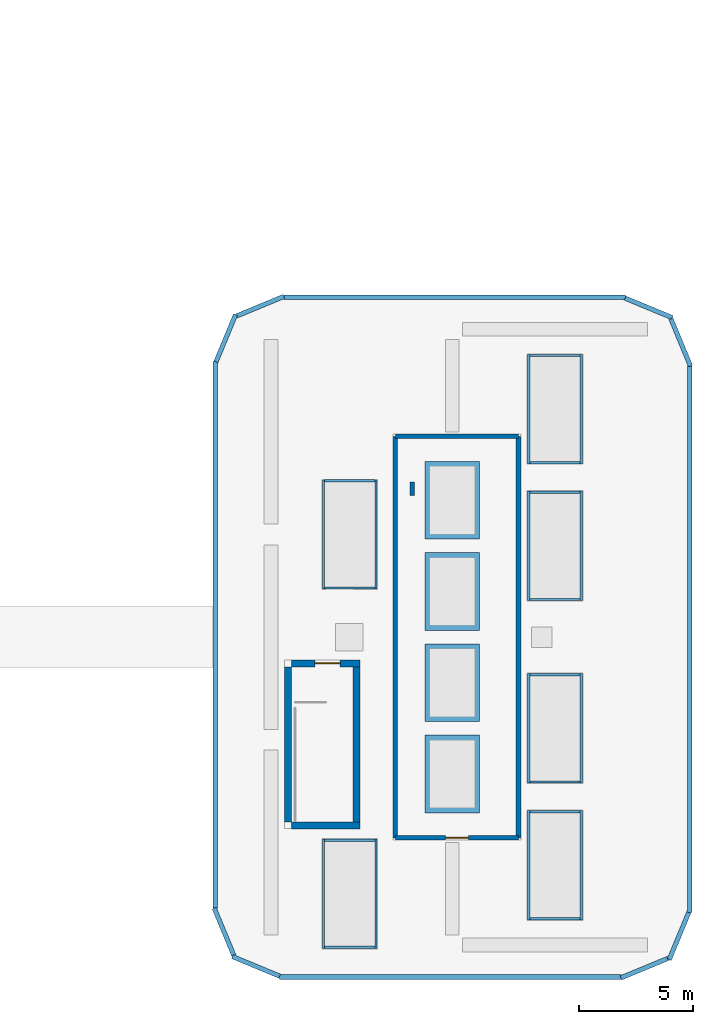
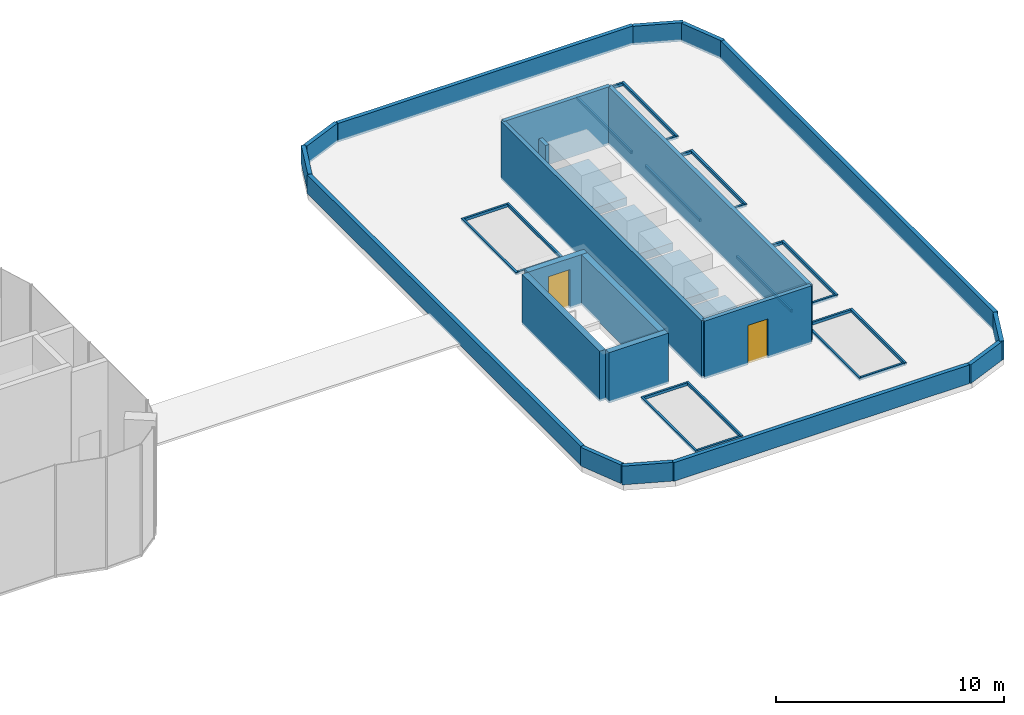
# One storey, part 13 of 19: 49 walls, 2 doors, 2 openings.
"""IFC4 building model written with IfcOpenShell, lengths in metres."""

from ifc_helpers import new_model, si_unit, direction, frame, frame_2d, origin, place, context, subcontext, project, spatial, rectangle, extrude, material, layer, layer_set, type_object, element, fill, save


model = new_model("IFC4")

# Units and contexts
model_context = context("Model", 3, precision=1e-05, world=origin(), true_north=direction((0.0, 1.0)))
body_context = subcontext(model_context, "Body", "Model", "MODEL_VIEW")
ifc_project = project(units=[si_unit("LENGTHUNIT", "METRE"), si_unit("AREAUNIT", "SQUARE_METRE"), si_unit("VOLUMEUNIT", "CUBIC_METRE"), si_unit("PLANEANGLEUNIT", "RADIAN"), si_unit("MASSUNIT", "GRAM", prefix="KILO")], contexts=[model_context])

# Site, building, storey
site_placement = place(None, origin())
site = spatial("IfcSite", under=ifc_project, at=site_placement, CompositionType="ELEMENT")
building_placement = place(site_placement, origin())
building = spatial("IfcBuilding", under=site, at=building_placement, Name="Plateau Cross Towers", CompositionType="ELEMENT")
storey_placement = place(building_placement, frame((0.0, 0.0, 128.60009765625)))
storey = spatial("IfcBuildingStorey", under=building, at=storey_placement, Name="L33", CompositionType="ELEMENT", Elevation=128.60009765625)

# Walls
ifc_material_1 = material(Name="Concrete C60/75", Category="concrete")
ifc_layer_1 = layer(ifc_material_1, 0.300048828125)
ifc_layer_set_1 = layer_set([ifc_layer_1], Name="Concrete C60/75")
wall_type_1 = type_object("IfcWallType", Name="Core shaft wall 300", PredefinedType="SHEAR", material=ifc_layer_set_1)
wall_1_placement = place(storey_placement, frame((75.449951171875, 0.75, 0.0), z_axis=(0.0, 0.0, 1.0), x_axis=(1.0, 0.0, 0.0)))
element("IfcWall", 1, at=wall_1_placement, inside=storey, type_object=wall_type_1, Name="SB-1 head house wall", PredefinedType="SHEAR", context=body_context, shape_type="SweptSolid", body=[
    extrude(rectangle(XDim=3.0, YDim=0.300048828125, at=frame_2d((1.5, 0.0))), origin(), (0.0, 0.0, 1.0), 2.699951171875),
])
for number, where, z_axis, x_axis, name in (
    (2, (78.300048828125, 7.699951171875, 0.0), (0.0, 0.0, 1.0), (0.0, -1.0, 0.0), "SB-1 head house wall"),
    (3, (75.300048828125, 7.699951171875, 0.0), (0.0, 0.0, 1.0), (0.0, -1.0, 0.0), "SB-1 head house wall"),
):
    element("IfcWall", number, at=place(storey_placement, frame(where, z_axis=z_axis, x_axis=x_axis)), inside=storey, type_object=wall_type_1, Name=name, PredefinedType="SHEAR", context=body_context, shape_type="SweptSolid", body=[
        extrude(rectangle(XDim=6.800048828125, YDim=0.300048828125, at=frame_2d((3.39990234375, 0.0))), origin(), (0.0, 0.0, 1.0), 2.699951171875),
    ])

# Wall, opening, door
wall_2_placement = place(storey_placement, frame((75.449951171875, 7.85009765625, 0.0), z_axis=(0.0, 0.0, 1.0), x_axis=(1.0, 0.0, 0.0)))
wall_2 = element("IfcWall", 4, at=wall_2_placement, inside=storey, type_object=wall_type_1, Name="SB-1 head house wall", PredefinedType="SHEAR", context=body_context, shape_type="SweptSolid", body=[
    extrude(rectangle(XDim=3.0, YDim=0.300048828125, at=frame_2d((1.5, 0.0))), origin(), (0.0, 0.0, 1.0), 2.699951171875),
])
opening_1_placement = place(wall_2_placement, frame((1.02490234375, 0.0, 0.0)))
opening_1 = element("IfcOpeningElement", 5, at=opening_1_placement, cuts=wall_2, Name="Opening SD", PredefinedType="OPENING", context=body_context, shape_type="SweptSolid", body=[
    extrude(rectangle(XDim=1.10009765625, YDim=2.10009765625, at=frame_2d((0.550048828125, 1.050048828125))), frame((0.0, 0.159912109375, 0.0), z_axis=(0.0, -1.0, 0.0), x_axis=(1.0, 0.0, 0.0)), (0.0, 0.0, 1.0), 0.320068359375),
])
ifc_material_2 = material(Name="Steel, fire-resisting leaf", Category="steel")
door_type_1 = type_object("IfcDoorType", Name="Stair door 1100", OperationType="NOTDEFINED", PredefinedType="DOOR", material=ifc_material_2)
door_1_placement = place(opening_1_placement, origin())
door_1 = element("IfcDoor", 6, at=door_1_placement, inside=storey, type_object=door_type_1, Name="Stair door SD", OperationType="SINGLE_SWING_LEFT", OverallHeight=2.10009765625, OverallWidth=1.10009765625, PredefinedType="DOOR", context=body_context, shape_type="SweptSolid", body=[
    extrude(rectangle(XDim=1.10009765625, YDim=2.10009765625, at=frame_2d((0.550048828125, 1.050048828125))), frame((0.0, 0.02490234375, 0.0), z_axis=(0.0, -1.0, 0.0), x_axis=(1.0, 0.0, 0.0)), (0.0, 0.0, 1.0), 0.050048828125),
])
fill(opening_1, door_1)

# Walls
ifc_material_3 = material(Name="Concrete C30/37", Category="concrete")
ifc_layer_2 = layer(ifc_material_3, 0.199951171875)
ifc_layer_set_2 = layer_set([ifc_layer_2], Name="Concrete C30/37")
wall_type_2 = type_object("IfcWallType", Name="Parapet wall 200", PredefinedType="PARAPET", material=ifc_layer_set_2)
for number, where, z_axis, x_axis, name in (
    (7, (74.927490234375, -5.86181640625, 0.0), (0.0, 0.0, 1.0), (-0.923879690752, 0.382683050338, 0.0), "Parapet 1"),
    (8, (72.9169921875, -4.952392578125, 0.0), (0.0, 0.0, 1.0), (-0.382683050338, 0.923879690752, 0.0), "Parapet 2"),
):
    element("IfcWall", number, at=place(storey_placement, frame(where, z_axis=z_axis, x_axis=x_axis)), inside=storey, type_object=wall_type_2, Name=name, PredefinedType="PARAPET", context=body_context, shape_type="SweptSolid", body=[
        extrude(rectangle(XDim=2.23486328125, YDim=0.199951171875, at=frame_2d((1.117431640625, 0.0))), origin(), (0.0, 0.0, 1.0), 1.0),
    ])
wall_3_placement = place(storey_placement, frame((72.10009765625, -2.880126953125, 0.0), z_axis=(0.0, 0.0, 1.0), x_axis=(0.0, 1.0, 0.0)))
element("IfcWall", 9, at=wall_3_placement, inside=storey, type_object=wall_type_2, Name="Parapet 3", PredefinedType="PARAPET", context=body_context, shape_type="SweptSolid", body=[
    extrude(rectangle(XDim=23.960205078125, YDim=0.199951171875, at=frame_2d((11.97998046875, 0.0))), origin(), (0.0, 0.0, 1.0), 1.0),
])
for number, where, z_axis, x_axis, name in (
    (10, (72.13818359375, 21.072509765625, 0.0), (0.0, 0.0, 1.0), (0.382683050338, 0.923879690752, 0.0), "Parapet 4"),
    (11, (73.047607421875, 23.0830078125, 0.0), (0.0, 0.0, 1.0), (0.923879690752, 0.382683050338, 0.0), "Parapet 5"),
):
    element("IfcWall", number, at=place(storey_placement, frame(where, z_axis=z_axis, x_axis=x_axis)), inside=storey, type_object=wall_type_2, Name=name, PredefinedType="PARAPET", context=body_context, shape_type="SweptSolid", body=[
        extrude(rectangle(XDim=2.23486328125, YDim=0.199951171875, at=frame_2d((1.117431640625, 0.0))), origin(), (0.0, 0.0, 1.0), 1.0),
    ])
wall_4_placement = place(storey_placement, frame((75.119873046875, 23.89990234375, 0.0), z_axis=(0.0, 0.0, 1.0), x_axis=(1.0, 0.0, 0.0)))
element("IfcWall", 12, at=wall_4_placement, inside=storey, type_object=wall_type_2, Name="Parapet 6", PredefinedType="PARAPET", context=body_context, shape_type="SweptSolid", body=[
    extrude(rectangle(XDim=14.960205078125, YDim=0.199951171875, at=frame_2d((7.47998046875, 0.0))), origin(), (0.0, 0.0, 1.0), 1.0),
])
for number, where, z_axis, x_axis, name in (
    (13, (90.072509765625, 23.86181640625, 0.0), (0.0, 0.0, 1.0), (0.923879690752, -0.382683050338, 0.0), "Parapet 7"),
    (14, (92.0830078125, 22.952392578125, 0.0), (0.0, 0.0, 1.0), (0.382683050338, -0.923879690752, 0.0), "Parapet 8"),
):
    element("IfcWall", number, at=place(storey_placement, frame(where, z_axis=z_axis, x_axis=x_axis)), inside=storey, type_object=wall_type_2, Name=name, PredefinedType="PARAPET", context=body_context, shape_type="SweptSolid", body=[
        extrude(rectangle(XDim=2.23486328125, YDim=0.199951171875, at=frame_2d((1.117431640625, 0.0))), origin(), (0.0, 0.0, 1.0), 1.0),
    ])
wall_5_placement = place(storey_placement, frame((92.89990234375, 20.880126953125, 0.0), z_axis=(0.0, 0.0, 1.0), x_axis=(0.0, -1.0, 0.0)))
element("IfcWall", 15, at=wall_5_placement, inside=storey, type_object=wall_type_2, Name="Parapet 9", PredefinedType="PARAPET", context=body_context, shape_type="SweptSolid", body=[
    extrude(rectangle(XDim=23.960205078125, YDim=0.199951171875, at=frame_2d((11.97998046875, 0.0))), origin(), (0.0, 0.0, 1.0), 1.0),
])
for number, where, z_axis, x_axis, name in (
    (16, (92.86181640625, -3.072509765625, 0.0), (0.0, 0.0, 1.0), (-0.382683050338, -0.923879690752, 0.0), "Parapet 10"),
    (17, (91.952392578125, -5.0830078125, 0.0), (0.0, 0.0, 1.0), (-0.923879690752, -0.382683050338, 0.0), "Parapet 11"),
):
    element("IfcWall", number, at=place(storey_placement, frame(where, z_axis=z_axis, x_axis=x_axis)), inside=storey, type_object=wall_type_2, Name=name, PredefinedType="PARAPET", context=body_context, shape_type="SweptSolid", body=[
        extrude(rectangle(XDim=2.23486328125, YDim=0.199951171875, at=frame_2d((1.117431640625, 0.0))), origin(), (0.0, 0.0, 1.0), 1.0),
    ])
wall_6_placement = place(storey_placement, frame((89.880126953125, -5.89990234375, 0.0), z_axis=(0.0, 0.0, 1.0), x_axis=(-1.0, 0.0, 0.0)))
element("IfcWall", 18, at=wall_6_placement, inside=storey, type_object=wall_type_2, Name="Parapet 12", PredefinedType="PARAPET", context=body_context, shape_type="SweptSolid", body=[
    extrude(rectangle(XDim=14.960205078125, YDim=0.199951171875, at=frame_2d((7.47998046875, 0.0))), origin(), (0.0, 0.0, 1.0), 1.0),
])
ifc_layer_3 = layer(ifc_material_3, 2.0)
ifc_layer_set_3 = layer_set([ifc_layer_3], Name="Concrete C30/37")
wall_type_3 = type_object("IfcWallType", Name="Plant plinth 300", PredefinedType="STANDARD", material=ifc_layer_set_3)
for number, where, z_axis, x_axis, name in (
    (19, (82.5, 16.699951171875, 0.0), (0.0, 0.0, 1.0), (0.0, -1.0, 0.0), "Plant plinth 1"),
    (20, (82.5, 12.699951171875, 0.0), (0.0, 0.0, 1.0), (0.0, -1.0, 0.0), "Plant plinth 2"),
    (21, (82.5, 8.699951171875, 0.0), (0.0, 0.0, 1.0), (0.0, -1.0, 0.0), "Plant plinth 3"),
    (22, (82.5, 4.699951171875, 0.0), (0.0, 0.0, 1.0), (0.0, -1.0, 0.0), "Plant plinth 4"),
):
    element("IfcWall", number, at=place(storey_placement, frame(where, z_axis=z_axis, x_axis=x_axis)), inside=storey, type_object=wall_type_3, Name=name, PredefinedType="STANDARD", context=body_context, shape_type="SweptSolid", body=[
        extrude(rectangle(XDim=3.39990234375, YDim=2.39990234375, at=frame_2d((1.699951171875, 0.0))), origin(), (0.0, 0.0, 1.0), 0.419921875),
    ])

# Wall, opening, door
ifc_material_4 = material(Name="Concrete C40/50", Category="concrete")
ifc_layer_4 = layer(ifc_material_4, 0.199951171875)
ifc_layer_set_4 = layer_set([ifc_layer_4], Name="Concrete C40/50")
wall_type_4 = type_object("IfcWallType", Name="Plant room wall 200", PredefinedType="STANDARD", material=ifc_layer_set_4)
wall_7_placement = place(storey_placement, frame((80.0, 0.199951171875, 0.0), z_axis=(0.0, 0.0, 1.0), x_axis=(1.0, 0.0, 0.0)))
wall_7 = element("IfcWall", 23, at=wall_7_placement, inside=storey, type_object=wall_type_4, Name="Plant room wall", PredefinedType="STANDARD", context=body_context, shape_type="SweptSolid", body=[
    extrude(rectangle(XDim=5.39990234375, YDim=0.199951171875, at=frame_2d((2.699951171875, 0.0))), origin(), (0.0, 0.0, 1.0), 3.099853515625),
])
opening_2_placement = place(wall_7_placement, frame((2.199951171875, 0.0, 0.0)))
opening_2 = element("IfcOpeningElement", 24, at=opening_2_placement, cuts=wall_7, Name="Opening D-BP10", PredefinedType="OPENING", context=body_context, shape_type="SweptSolid", body=[
    extrude(rectangle(XDim=1.0, YDim=2.10009765625, at=frame_2d((0.5, 1.050048828125))), frame((0.0, 0.10986328125, 0.0), z_axis=(0.0, -1.0, 0.0), x_axis=(1.0, 0.0, 0.0)), (0.0, 0.0, 1.0), 0.219970703125),
])
door_type_2 = type_object("IfcDoorType", Name="Plant room door 1000", OperationType="NOTDEFINED", PredefinedType="DOOR", material=ifc_material_2)
door_2_placement = place(opening_2_placement, origin())
door_2 = element("IfcDoor", 25, at=door_2_placement, inside=storey, type_object=door_type_2, Name="Door D-BP10", OperationType="SINGLE_SWING_LEFT", OverallHeight=2.10009765625, OverallWidth=1.0, PredefinedType="DOOR", context=body_context, shape_type="SweptSolid", body=[
    extrude(rectangle(XDim=1.0, YDim=2.10009765625, at=frame_2d((0.5, 1.050048828125))), frame((0.0, 0.02490234375, 0.0), z_axis=(0.0, -1.0, 0.0), x_axis=(1.0, 0.0, 0.0)), (0.0, 0.0, 1.0), 0.050048828125),
])
fill(opening_2, door_2)

# Walls
wall_8_placement = place(storey_placement, frame((85.39990234375, 0.199951171875, 0.0), z_axis=(0.0, 0.0, 1.0), x_axis=(0.0, 1.0, 0.0)))
element("IfcWall", 26, at=wall_8_placement, inside=storey, type_object=wall_type_4, Name="Plant room wall", PredefinedType="STANDARD", context=body_context, shape_type="SweptSolid", body=[
    extrude(rectangle(XDim=17.60009765625, YDim=0.199951171875, at=frame_2d((8.800048828125, 0.0))), origin(), (0.0, 0.0, 1.0), 3.099853515625),
])
wall_9_placement = place(storey_placement, frame((85.39990234375, 17.800048828125, 0.0), z_axis=(0.0, 0.0, 1.0), x_axis=(-1.0, 0.0, 0.0)))
element("IfcWall", 27, at=wall_9_placement, inside=storey, type_object=wall_type_4, Name="Plant room wall", PredefinedType="STANDARD", context=body_context, shape_type="SweptSolid", body=[
    extrude(rectangle(XDim=5.39990234375, YDim=0.199951171875, at=frame_2d((2.699951171875, 0.0))), origin(), (0.0, 0.0, 1.0), 3.099853515625),
])
wall_10_placement = place(storey_placement, frame((80.0, 17.800048828125, 0.0), z_axis=(0.0, 0.0, 1.0), x_axis=(0.0, -1.0, 0.0)))
element("IfcWall", 28, at=wall_10_placement, inside=storey, type_object=wall_type_4, Name="Plant room wall", PredefinedType="STANDARD", context=body_context, shape_type="SweptSolid", body=[
    extrude(rectangle(XDim=17.60009765625, YDim=0.199951171875, at=frame_2d((8.800048828125, 0.0))), origin(), (0.0, 0.0, 1.0), 3.099853515625),
])
wall_11_placement = place(storey_placement, frame((80.75, 15.199951171875, 0.0), z_axis=(0.0, 0.0, 1.0), x_axis=(0.0, 1.0, 0.0)))
element("IfcWall", 29, at=wall_11_placement, inside=storey, type_object=wall_type_4, Name="Plant room pier", PredefinedType="STANDARD", context=body_context, shape_type="SweptSolid", body=[
    extrude(rectangle(XDim=0.60009765625, YDim=0.199951171875, at=frame_2d((0.300048828125, 0.0))), origin(), (0.0, 0.0, 1.0), 3.099853515625),
])
ifc_layer_5 = layer(ifc_material_3, 0.10009765625)
ifc_layer_set_5 = layer_set([ifc_layer_5], Name="Concrete C30/37")
wall_type_5 = type_object("IfcWallType", Name="Rooflight kerb 100", PredefinedType="STANDARD", material=ifc_layer_set_5)
for number, where, z_axis, x_axis, name in (
    (30, (85.85009765625, -3.39990234375, 0.0), (0.0, 0.0, 1.0), (0.0, 1.0, 0.0), "Rooflight RL3 1 kerb"),
    (31, (88.14990234375, -3.39990234375, 0.0), (0.0, 0.0, 1.0), (0.0, 1.0, 0.0), "Rooflight RL3 1 kerb"),
):
    element("IfcWall", number, at=place(storey_placement, frame(where, z_axis=z_axis, x_axis=x_axis)), inside=storey, type_object=wall_type_5, Name=name, PredefinedType="STANDARD", context=body_context, shape_type="SweptSolid", body=[
        extrude(rectangle(XDim=4.7998046875, YDim=0.10009765625, at=frame_2d((2.39990234375, 0.0))), origin(), (0.0, 0.0, 1.0), 0.14990234375),
    ])
for number, where, z_axis, x_axis, name in (
    (32, (85.89990234375, -3.35009765625, 0.0), (0.0, 0.0, 1.0), (1.0, 0.0, 0.0), "Rooflight RL3 1 kerb"),
    (33, (85.89990234375, 1.35009765625, 0.0), (0.0, 0.0, 1.0), (1.0, 0.0, 0.0), "Rooflight RL3 1 kerb"),
):
    element("IfcWall", number, at=place(storey_placement, frame(where, z_axis=z_axis, x_axis=x_axis)), inside=storey, type_object=wall_type_5, Name=name, PredefinedType="STANDARD", context=body_context, shape_type="SweptSolid", body=[
        extrude(rectangle(XDim=2.2001953125, YDim=0.10009765625, at=frame_2d((1.10009765625, 0.0))), origin(), (0.0, 0.0, 1.0), 0.14990234375),
    ])
for number, where, z_axis, x_axis, name in (
    (34, (76.85009765625, -4.64990234375, 0.0), (0.0, 0.0, 1.0), (0.0, 1.0, 0.0), "Rooflight RL3 2 kerb"),
    (35, (79.14990234375, -4.64990234375, 0.0), (0.0, 0.0, 1.0), (0.0, 1.0, 0.0), "Rooflight RL3 2 kerb"),
):
    element("IfcWall", number, at=place(storey_placement, frame(where, z_axis=z_axis, x_axis=x_axis)), inside=storey, type_object=wall_type_5, Name=name, PredefinedType="STANDARD", context=body_context, shape_type="SweptSolid", body=[
        extrude(rectangle(XDim=4.7998046875, YDim=0.10009765625, at=frame_2d((2.39990234375, 0.0))), origin(), (0.0, 0.0, 1.0), 0.14990234375),
    ])
for number, where, z_axis, x_axis, name in (
    (36, (76.89990234375, -4.60009765625, 0.0), (0.0, 0.0, 1.0), (1.0, 0.0, 0.0), "Rooflight RL3 2 kerb"),
    (37, (76.89990234375, 0.10009765625, 0.0), (0.0, 0.0, 1.0), (1.0, 0.0, 0.0), "Rooflight RL3 2 kerb"),
):
    element("IfcWall", number, at=place(storey_placement, frame(where, z_axis=z_axis, x_axis=x_axis)), inside=storey, type_object=wall_type_5, Name=name, PredefinedType="STANDARD", context=body_context, shape_type="SweptSolid", body=[
        extrude(rectangle(XDim=2.2001953125, YDim=0.10009765625, at=frame_2d((1.10009765625, 0.0))), origin(), (0.0, 0.0, 1.0), 0.14990234375),
    ])
for number, where, z_axis, x_axis, name in (
    (38, (85.85009765625, 2.60009765625, 0.0), (0.0, 0.0, 1.0), (0.0, 1.0, 0.0), "Rooflight RL3 3 kerb"),
    (39, (88.14990234375, 2.60009765625, 0.0), (0.0, 0.0, 1.0), (0.0, 1.0, 0.0), "Rooflight RL3 3 kerb"),
):
    element("IfcWall", number, at=place(storey_placement, frame(where, z_axis=z_axis, x_axis=x_axis)), inside=storey, type_object=wall_type_5, Name=name, PredefinedType="STANDARD", context=body_context, shape_type="SweptSolid", body=[
        extrude(rectangle(XDim=4.7998046875, YDim=0.10009765625, at=frame_2d((2.39990234375, 0.0))), origin(), (0.0, 0.0, 1.0), 0.14990234375),
    ])
for number, where, z_axis, x_axis, name in (
    (40, (85.89990234375, 2.64990234375, 0.0), (0.0, 0.0, 1.0), (1.0, 0.0, 0.0), "Rooflight RL3 3 kerb"),
    (41, (85.89990234375, 7.35009765625, 0.0), (0.0, 0.0, 1.0), (1.0, 0.0, 0.0), "Rooflight RL3 3 kerb"),
):
    element("IfcWall", number, at=place(storey_placement, frame(where, z_axis=z_axis, x_axis=x_axis)), inside=storey, type_object=wall_type_5, Name=name, PredefinedType="STANDARD", context=body_context, shape_type="SweptSolid", body=[
        extrude(rectangle(XDim=2.2001953125, YDim=0.10009765625, at=frame_2d((1.10009765625, 0.0))), origin(), (0.0, 0.0, 1.0), 0.14990234375),
    ])
for number, where, z_axis, x_axis, name in (
    (42, (85.85009765625, 10.60009765625, 0.0), (0.0, 0.0, 1.0), (0.0, 1.0, 0.0), "Rooflight RL3 4 kerb"),
    (43, (88.14990234375, 10.60009765625, 0.0), (0.0, 0.0, 1.0), (0.0, 1.0, 0.0), "Rooflight RL3 4 kerb"),
):
    element("IfcWall", number, at=place(storey_placement, frame(where, z_axis=z_axis, x_axis=x_axis)), inside=storey, type_object=wall_type_5, Name=name, PredefinedType="STANDARD", context=body_context, shape_type="SweptSolid", body=[
        extrude(rectangle(XDim=4.7998046875, YDim=0.10009765625, at=frame_2d((2.39990234375, 0.0))), origin(), (0.0, 0.0, 1.0), 0.14990234375),
    ])
for number, where, z_axis, x_axis, name in (
    (44, (85.89990234375, 10.64990234375, 0.0), (0.0, 0.0, 1.0), (1.0, 0.0, 0.0), "Rooflight RL3 4 kerb"),
    (45, (85.89990234375, 15.35009765625, 0.0), (0.0, 0.0, 1.0), (1.0, 0.0, 0.0), "Rooflight RL3 4 kerb"),
):
    element("IfcWall", number, at=place(storey_placement, frame(where, z_axis=z_axis, x_axis=x_axis)), inside=storey, type_object=wall_type_5, Name=name, PredefinedType="STANDARD", context=body_context, shape_type="SweptSolid", body=[
        extrude(rectangle(XDim=2.2001953125, YDim=0.10009765625, at=frame_2d((1.10009765625, 0.0))), origin(), (0.0, 0.0, 1.0), 0.14990234375),
    ])
for number, where, z_axis, x_axis, name in (
    (46, (76.85009765625, 11.10009765625, 0.0), (0.0, 0.0, 1.0), (0.0, 1.0, 0.0), "Rooflight RL3 5 kerb"),
    (47, (79.14990234375, 11.10009765625, 0.0), (0.0, 0.0, 1.0), (0.0, 1.0, 0.0), "Rooflight RL3 5 kerb"),
):
    element("IfcWall", number, at=place(storey_placement, frame(where, z_axis=z_axis, x_axis=x_axis)), inside=storey, type_object=wall_type_5, Name=name, PredefinedType="STANDARD", context=body_context, shape_type="SweptSolid", body=[
        extrude(rectangle(XDim=4.7998046875, YDim=0.10009765625, at=frame_2d((2.39990234375, 0.0))), origin(), (0.0, 0.0, 1.0), 0.14990234375),
    ])
for number, where, z_axis, x_axis, name in (
    (48, (76.89990234375, 11.14990234375, 0.0), (0.0, 0.0, 1.0), (1.0, 0.0, 0.0), "Rooflight RL3 5 kerb"),
    (49, (76.89990234375, 15.85009765625, 0.0), (0.0, 0.0, 1.0), (1.0, 0.0, 0.0), "Rooflight RL3 5 kerb"),
):
    element("IfcWall", number, at=place(storey_placement, frame(where, z_axis=z_axis, x_axis=x_axis)), inside=storey, type_object=wall_type_5, Name=name, PredefinedType="STANDARD", context=body_context, shape_type="SweptSolid", body=[
        extrude(rectangle(XDim=2.2001953125, YDim=0.10009765625, at=frame_2d((1.10009765625, 0.0))), origin(), (0.0, 0.0, 1.0), 0.14990234375),
    ])
for number, where, z_axis, x_axis, name in (
    (50, (85.85009765625, 16.60009765625, 0.0), (0.0, 0.0, 1.0), (0.0, 1.0, 0.0), "Rooflight RL3 6 kerb"),
    (51, (88.14990234375, 16.60009765625, 0.0), (0.0, 0.0, 1.0), (0.0, 1.0, 0.0), "Rooflight RL3 6 kerb"),
):
    element("IfcWall", number, at=place(storey_placement, frame(where, z_axis=z_axis, x_axis=x_axis)), inside=storey, type_object=wall_type_5, Name=name, PredefinedType="STANDARD", context=body_context, shape_type="SweptSolid", body=[
        extrude(rectangle(XDim=4.7998046875, YDim=0.10009765625, at=frame_2d((2.39990234375, 0.0))), origin(), (0.0, 0.0, 1.0), 0.14990234375),
    ])
for number, where, z_axis, x_axis, name in (
    (52, (85.89990234375, 16.64990234375, 0.0), (0.0, 0.0, 1.0), (1.0, 0.0, 0.0), "Rooflight RL3 6 kerb"),
    (53, (85.89990234375, 21.35009765625, 0.0), (0.0, 0.0, 1.0), (1.0, 0.0, 0.0), "Rooflight RL3 6 kerb"),
):
    element("IfcWall", number, at=place(storey_placement, frame(where, z_axis=z_axis, x_axis=x_axis)), inside=storey, type_object=wall_type_5, Name=name, PredefinedType="STANDARD", context=body_context, shape_type="SweptSolid", body=[
        extrude(rectangle(XDim=2.2001953125, YDim=0.10009765625, at=frame_2d((1.10009765625, 0.0))), origin(), (0.0, 0.0, 1.0), 0.14990234375),
    ])

save(model, "model.ifc")
